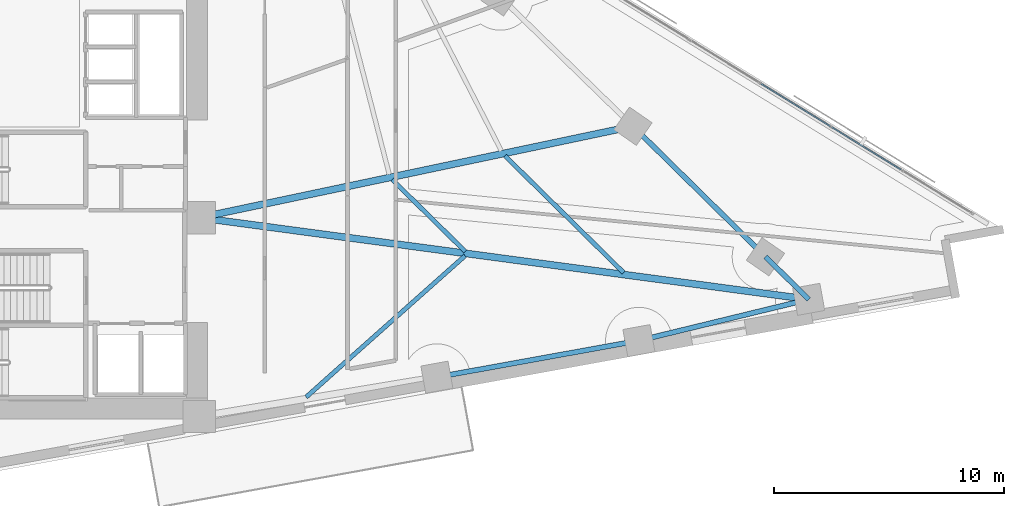
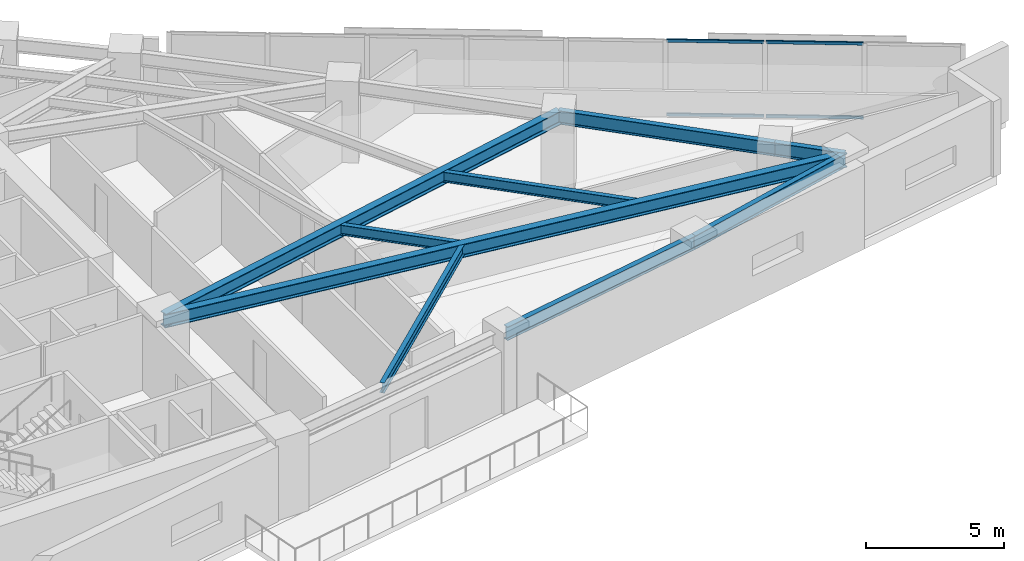
# One storey, part 3 of 18: 9 beams, 4 members, 1 element without a shape of its own.
"""IFC4 building model written with IfcOpenShell, lengths in metres."""

from ifc_helpers import new_model, si_unit, direction, frame, origin, origin_2d, place, context, subcontext, project, spatial, hollow_rectangle, i_section, extrude, material, material_profile, profile_set, type_object, element, aggregate, save


model = new_model("IFC4")

# Units and contexts
model_context = context("Model", 3, precision=1e-05, world=origin(), true_north=direction((0.0, 1.0)))
body_context = subcontext(model_context, "Body", "Model", "MODEL_VIEW")
ifc_project = project(units=[si_unit("LENGTHUNIT", "METRE"), si_unit("AREAUNIT", "SQUARE_METRE"), si_unit("VOLUMEUNIT", "CUBIC_METRE"), si_unit("PLANEANGLEUNIT", "RADIAN"), si_unit("MASSUNIT", "GRAM", prefix="KILO")], contexts=[model_context])

# Site, building, storey
site_placement = place(None, origin())
site = spatial("IfcSite", under=ifc_project, at=site_placement, CompositionType="ELEMENT")
building_placement = place(site_placement, origin())
building = spatial("IfcBuilding", under=site, at=building_placement, Name="Narakoshi Arena Tower", CompositionType="ELEMENT")
storey_placement = place(building_placement, frame((0.0, 0.0, 95.699951171875)))
storey = spatial("IfcBuildingStorey", under=building, at=storey_placement, Name="L25", CompositionType="ELEMENT", Elevation=95.699951171875)

# Beams
ifc_material_1 = material(Name="Structural steel S355J2", Category="steel")
ifc_material_profile_1 = material_profile(ifc_material_1, i_section(OverallWidth=0.219970703125, OverallDepth=0.60009765625, WebThickness=0.011962890625, FlangeThickness=0.01904296875, FilletRadius=0.02392578125, at=origin_2d()), Name="IPE600")
ifc_profile_set_1 = profile_set([ifc_material_profile_1], Name="Structural steel S355J2")
beam_type_1 = type_object("IfcBeamType", Name="BM-EDGE-600", PredefinedType="BEAM", material=ifc_profile_set_1)
beam_1_placement = place(storey_placement, frame((95.89013671875, 36.411865234375, 3.0400390625), z_axis=(0.984043032412, 0.177930633565, 0.0), x_axis=(-0.177930633565, 0.984043032412, 0.0)))
element("IfcBeam", 1, at=beam_1_placement, inside=storey, type_object=beam_type_1, Name="L25 Perimeter Edge Girder 01", PredefinedType="BEAM", context=body_context, shape_type="SweptSolid", body=[
    extrude(i_section(OverallWidth=0.219970703125, OverallDepth=0.60009765625, WebThickness=0.011962890625, FlangeThickness=0.01904296875, FilletRadius=0.02392578125, at=origin_2d()), origin(), (0.0, 0.0, 1.0), 8.933837890625),
])
beam_2_placement = place(storey_placement, frame((104.681396484375, 38.00146484375, 3.0400390625), z_axis=(0.971695296423, 0.236237700019, 0.0), x_axis=(-0.236237700019, 0.971695296423, 0.0)))
element("IfcBeam", 2, at=beam_2_placement, inside=storey, type_object=beam_type_1, Name="L25 Perimeter Edge Girder 02", PredefinedType="BEAM", context=body_context, shape_type="SweptSolid", body=[
    extrude(i_section(OverallWidth=0.219970703125, OverallDepth=0.60009765625, WebThickness=0.011962890625, FlangeThickness=0.01904296875, FilletRadius=0.02392578125, at=origin_2d()), origin(), (0.0, 0.0, 1.0), 7.604248046875),
])
beam_3_placement = place(storey_placement, frame((112.0703125, 39.7978515625, 3.0400390625), z_axis=(-0.712541924106, 0.70162953643, 0.0), x_axis=(-0.70162953643, -0.712541924106, 0.0)))
element("IfcBeam", 3, at=beam_3_placement, inside=storey, type_object=beam_type_1, Name="L25 Perimeter Edge Girder 03", PredefinedType="BEAM", context=body_context, shape_type="SweptSolid", body=[
    extrude(i_section(OverallWidth=0.219970703125, OverallDepth=0.60009765625, WebThickness=0.011962890625, FlangeThickness=0.01904296875, FilletRadius=0.02392578125, at=origin_2d()), origin(), (0.0, 0.0, 1.0), 2.639892578125),
])
beam_4_placement = place(storey_placement, frame((110.189208984375, 41.650146484375, 3.0400390625), z_axis=(-0.712543857268, 0.701627573196, 0.0), x_axis=(-0.701627573196, -0.712543857268, 0.0)))
element("IfcBeam", 4, at=beam_4_placement, inside=storey, type_object=beam_type_1, Name="L25 Perimeter Edge Girder 04", PredefinedType="BEAM", context=body_context, shape_type="SweptSolid", body=[
    extrude(i_section(OverallWidth=0.219970703125, OverallDepth=0.60009765625, WebThickness=0.011962890625, FlangeThickness=0.01904296875, FilletRadius=0.02392578125, at=origin_2d()), origin(), (0.0, 0.0, 1.0), 8.095947265625),
])
ifc_material_profile_2 = material_profile(ifc_material_1, i_section(OverallWidth=0.300048828125, OverallDepth=0.60009765625, WebThickness=0.015380859375, FlangeThickness=0.030029296875, FilletRadius=0.027099609375, at=origin_2d()), Name="HE600B")
ifc_profile_set_2 = profile_set([ifc_material_profile_2], Name="Structural steel S355J2")
beam_type_2 = type_object("IfcBeamType", Name="BM-PRI-600", PredefinedType="BEAM", material=ifc_profile_set_2)
beam_5_placement = place(storey_placement, frame((85.550048828125, 43.35009765625, 3.0400390625), z_axis=(0.991148352242, -0.132758968996, 0.0), x_axis=(0.132758968996, 0.991148352242, 0.0)))
element("IfcBeam", 5, at=beam_5_placement, inside=storey, type_object=beam_type_2, Name="L25 Radial Primary Floor Girder 03", PredefinedType="BEAM", context=body_context, shape_type="SweptSolid", body=[
    extrude(i_section(OverallWidth=0.300048828125, OverallDepth=0.60009765625, WebThickness=0.015380859375, FlangeThickness=0.030029296875, FilletRadius=0.027099609375, at=origin_2d()), origin(), (0.0, 0.0, 1.0), 26.757080078125),
])
beam_6_placement = place(storey_placement, frame((85.550048828125, 43.35009765625, 3.0400390625), z_axis=(0.978468582694, 0.206395815562, 0.0), x_axis=(-0.206395815562, 0.978468582694, 0.0)))
element("IfcBeam", 6, at=beam_6_placement, inside=storey, type_object=beam_type_2, Name="L25 Radial Primary Floor Girder 05", PredefinedType="BEAM", context=body_context, shape_type="SweptSolid", body=[
    extrude(i_section(OverallWidth=0.300048828125, OverallDepth=0.60009765625, WebThickness=0.015380859375, FlangeThickness=0.030029296875, FilletRadius=0.027099609375, at=origin_2d()), origin(), (0.0, 0.0, 1.0), 19.28564453125),
])
ifc_material_profile_3 = material_profile(ifc_material_1, i_section(OverallWidth=0.18994140625, OverallDepth=0.449951171875, WebThickness=0.009521484375, FlangeThickness=0.0146484375, FilletRadius=0.02099609375, at=origin_2d()), Name="IPE450")
ifc_profile_set_3 = profile_set([ifc_material_profile_3], Name="Structural steel S355J2")
beam_type_3 = type_object("IfcBeamType", Name="BM-SEC-450", PredefinedType="JOIST", material=ifc_profile_set_3)
beam_7_placement = place(storey_placement, frame((90.200439453125, 35.54296875, 3.114990234375), z_axis=(0.747129936422, 0.664678010846, 0.0), x_axis=(-0.664678010846, 0.747129936422, 0.0)))
element("IfcBeam", 7, at=beam_7_placement, inside=storey, type_object=beam_type_3, Name="L25 Composite Secondary Floor Joist 01", PredefinedType="JOIST", context=body_context, shape_type="SweptSolid", body=[
    extrude(i_section(OverallWidth=0.18994140625, OverallDepth=0.449951171875, WebThickness=0.009521484375, FlangeThickness=0.0146484375, FilletRadius=0.02099609375, at=origin_2d()), origin(), (0.0, 0.0, 1.0), 9.259033203125),
])
beam_8_placement = place(storey_placement, frame((97.122802734375, 41.8818359375, 3.114990234375), z_axis=(-0.712567241067, 0.701603824788, 0.0), x_axis=(-0.701603824788, -0.712567241067, 0.0)))
element("IfcBeam", 8, at=beam_8_placement, inside=storey, type_object=beam_type_3, Name="L25 Composite Secondary Floor Joist 02", PredefinedType="JOIST", context=body_context, shape_type="SweptSolid", body=[
    extrude(i_section(OverallWidth=0.18994140625, OverallDepth=0.449951171875, WebThickness=0.009521484375, FlangeThickness=0.0146484375, FilletRadius=0.02099609375, at=origin_2d()), origin(), (0.0, 0.0, 1.0), 4.45361328125),
])
beam_9_placement = place(storey_placement, frame((104.01806640625, 40.958251953125, 3.114990234375), z_axis=(-0.712561376684, 0.70160978076, 0.0), x_axis=(-0.70160978076, -0.712561376684, 0.0)))
element("IfcBeam", 9, at=beam_9_placement, inside=storey, type_object=beam_type_3, Name="L25 Composite Secondary Floor Joist 03", PredefinedType="JOIST", context=body_context, shape_type="SweptSolid", body=[
    extrude(i_section(OverallWidth=0.18994140625, OverallDepth=0.449951171875, WebThickness=0.009521484375, FlangeThickness=0.0146484375, FilletRadius=0.02099609375, at=origin_2d()), origin(), (0.0, 0.0, 1.0), 7.2451171875),
])

# Curtain wall, members
ifc_material_2 = material(Name="Anodised bronze aluminium 6063-T6", Category="aluminium")
curtain_wall_type = type_object("IfcCurtainWallType", Name="CW-HYP-LOW", PredefinedType="NOTDEFINED", material=ifc_material_2)
curtain_wall_placement = place(storey_placement, origin())
curtain_wall = element("IfcCurtainWall", 10, at=curtain_wall_placement, inside=storey, type_object=curtain_wall_type, Name="L25 Folded Hypotenuse Curtain Wall 1-1", PredefinedType="NOTDEFINED")
ifc_material_profile_4 = material_profile(ifc_material_2, hollow_rectangle(XDim=0.06494140625, YDim=0.1298828125, WallThickness=0.00390625, OuterFilletRadius=0.0048828125, at=origin_2d()), Name="TRN130x65x4")
ifc_profile_set_4 = profile_set([ifc_material_profile_4], Name="Anodised bronze aluminium 6063-T6")
member_type = type_object("IfcMemberType", Name="MEM-TRN-130", PredefinedType="USERDEFINED", material=ifc_profile_set_4)
member_1_placement = place(storey_placement, frame((116.085693359375, 45.4384765625, 0.032470703125), z_axis=(-0.852103699909, 0.523372988032, 0.0), x_axis=(-0.523372988032, -0.852103699909, 0.0)))
member_1 = element("IfcMember", 11, at=member_1_placement, type_object=member_type, Name="CW-01 transom 2.1", ObjectType="TRANSOM", PredefinedType="USERDEFINED", context=body_context, shape_type="SweptSolid", body=[
    extrude(hollow_rectangle(XDim=0.06494140625, YDim=0.1298828125, WallThickness=0.00390625, OuterFilletRadius=0.0048828125, at=origin_2d()), origin(), (0.0, 0.0, 1.0), 3.535888671875),
])
member_2_placement = place(storey_placement, frame((116.085693359375, 45.4384765625, 3.3076171875), z_axis=(-0.852103699909, 0.523372988032, 0.0), x_axis=(-0.523372988032, -0.852103699909, 0.0)))
member_2 = element("IfcMember", 12, at=member_2_placement, type_object=member_type, Name="CW-01 transom 2.2", ObjectType="TRANSOM", PredefinedType="USERDEFINED", context=body_context, shape_type="SweptSolid", body=[
    extrude(hollow_rectangle(XDim=0.06494140625, YDim=0.1298828125, WallThickness=0.00390625, OuterFilletRadius=0.0048828125, at=origin_2d()), origin(), (0.0, 0.0, 1.0), 3.535888671875),
])
member_3_placement = place(storey_placement, frame((113.0087890625, 47.328125, 0.032470703125), z_axis=(-0.852103699909, 0.523372988032, 0.0), x_axis=(-0.523372988032, -0.852103699909, 0.0)))
member_3 = element("IfcMember", 13, at=member_3_placement, type_object=member_type, Name="CW-01 transom 3.1", ObjectType="TRANSOM", PredefinedType="USERDEFINED", context=body_context, shape_type="SweptSolid", body=[
    extrude(hollow_rectangle(XDim=0.06494140625, YDim=0.1298828125, WallThickness=0.00390625, OuterFilletRadius=0.0048828125, at=origin_2d()), origin(), (0.0, 0.0, 1.0), 3.535888671875),
])
member_4_placement = place(storey_placement, frame((113.0087890625, 47.328125, 3.3076171875), z_axis=(-0.852103699909, 0.523372988032, 0.0), x_axis=(-0.523372988032, -0.852103699909, 0.0)))
member_4 = element("IfcMember", 14, at=member_4_placement, type_object=member_type, Name="CW-01 transom 3.2", ObjectType="TRANSOM", PredefinedType="USERDEFINED", context=body_context, shape_type="SweptSolid", body=[
    extrude(hollow_rectangle(XDim=0.06494140625, YDim=0.1298828125, WallThickness=0.00390625, OuterFilletRadius=0.0048828125, at=origin_2d()), origin(), (0.0, 0.0, 1.0), 3.535888671875),
])
aggregate(curtain_wall, [member_1, member_2, member_3, member_4])

save(model, "model.ifc")
